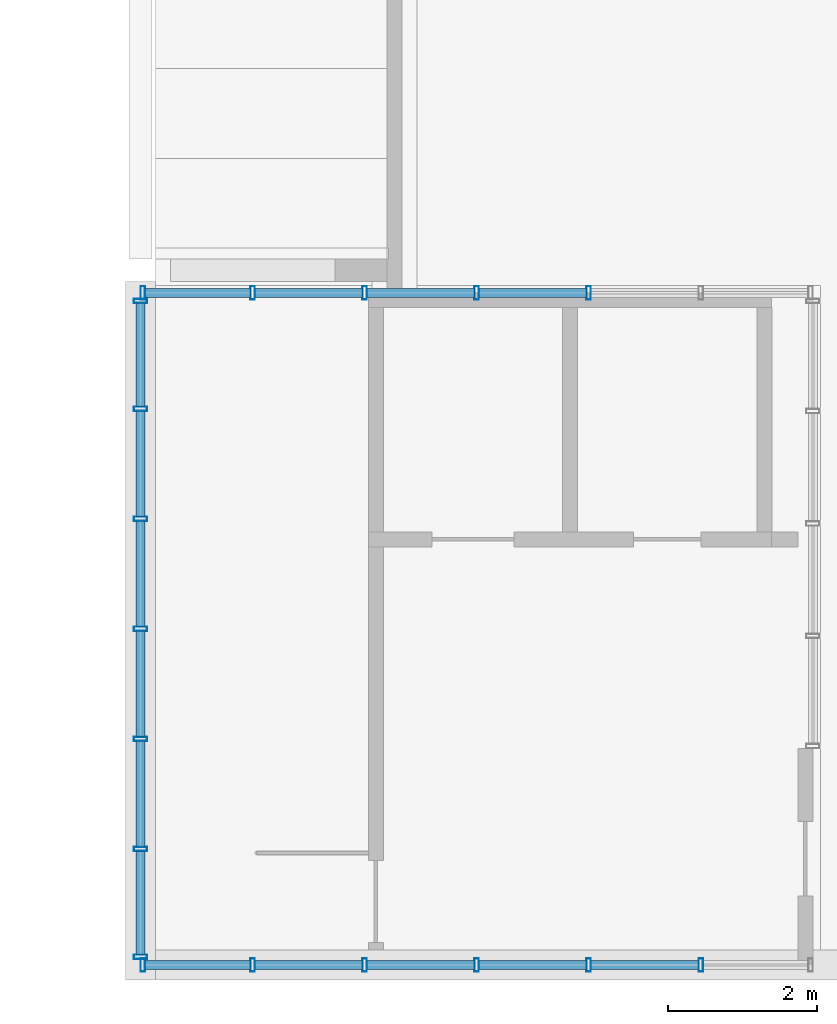
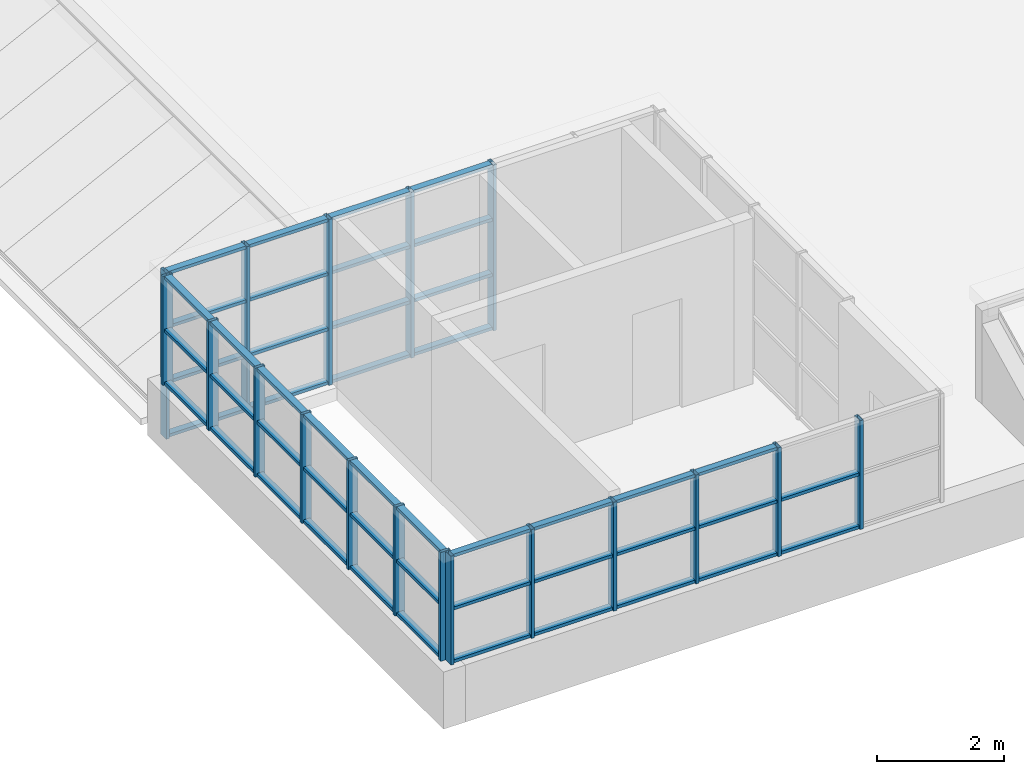
# One storey, part 2 of 69: 66 members, 3 elements without a shape of their own.
"""IFC4 building model written with IfcOpenShell, lengths in metres."""

from ifc_helpers import new_model, si_unit, direction, frame, origin, origin_2d, place, context, subcontext, project, spatial, hollow_rectangle, extrude, material, material_profile, profile_set, type_object, element, aggregate, save


model = new_model("IFC4")

# Units and contexts
model_context = context("Model", 3, precision=1e-05, world=origin(), true_north=direction((0.0, 1.0)))
body_context = subcontext(model_context, "Body", "Model", "MODEL_VIEW")
ifc_project = project(units=[si_unit("LENGTHUNIT", "METRE"), si_unit("AREAUNIT", "SQUARE_METRE"), si_unit("VOLUMEUNIT", "CUBIC_METRE"), si_unit("PLANEANGLEUNIT", "RADIAN"), si_unit("MASSUNIT", "GRAM", prefix="KILO")], contexts=[model_context])

# Site, building, storey
site_placement = place(None, origin())
site = spatial("IfcSite", under=ifc_project, at=site_placement, CompositionType="ELEMENT")
building_placement = place(site_placement, origin())
building = spatial("IfcBuilding", under=site, at=building_placement, Name="Kallimachos Central Library", CompositionType="ELEMENT")
storey_placement = place(building_placement, frame((0.0, 0.0, 23.39990234375)))
storey = spatial("IfcBuildingStorey", under=building, at=storey_placement, Name="L05", CompositionType="ELEMENT", Elevation=23.39990234375)

# Curtain wall, members
ifc_material_1 = material(Name="Aluminium and laminated glass", Category="aluminium")
curtain_wall_type = type_object("IfcCurtainWallType", Name="Glazed lantern wall", PredefinedType="NOTDEFINED", material=ifc_material_1)
curtain_wall_1_placement = place(storey_placement, origin())
curtain_wall_1 = element("IfcCurtainWall", 1, at=curtain_wall_1_placement, inside=storey, type_object=curtain_wall_type, Name="V5-CWL-L05-001", PredefinedType="NOTDEFINED")
ifc_material_2 = material(Name="Anodised aluminium", Category="aluminium")
ifc_material_profile_1 = material_profile(ifc_material_2, hollow_rectangle(XDim=0.06005859375, YDim=0.179931640625, WallThickness=0.00390625, at=origin_2d()), Name="ALU MULLION 60x180")
ifc_profile_set_1 = profile_set([ifc_material_profile_1], Name="Anodised aluminium")
member_type_1 = type_object("IfcMemberType", Name="ALU MULLION 60x180 mullion", PredefinedType="MULLION", material=ifc_profile_set_1)
member_1_placement = place(storey_placement, frame((74.530029296875, 18.0, 1.10009765625), z_axis=(0.0, 0.0, 1.0), x_axis=(1.0, 0.0, 0.0)))
member_1 = element("IfcMember", 2, at=member_1_placement, type_object=member_type_1, Name="CW2 mullion 1", PredefinedType="MULLION", context=body_context, shape_type="SweptSolid", body=[
    extrude(hollow_rectangle(XDim=0.06005859375, YDim=0.179931640625, WallThickness=0.00390625, at=origin_2d()), origin(), (0.0, 0.0, 1.0), 2.10009765625),
])
member_2_placement = place(storey_placement, frame((76.0, 18.0, 1.10009765625), z_axis=(0.0, 0.0, 1.0), x_axis=(1.0, 0.0, 0.0)))
member_2 = element("IfcMember", 3, at=member_2_placement, type_object=member_type_1, Name="CW2 mullion 2", PredefinedType="MULLION", context=body_context, shape_type="SweptSolid", body=[
    extrude(hollow_rectangle(XDim=0.06005859375, YDim=0.179931640625, WallThickness=0.00390625, at=origin_2d()), origin(), (0.0, 0.0, 1.0), 2.10009765625),
])
member_3_placement = place(storey_placement, frame((77.5, 18.0, 1.10009765625), z_axis=(0.0, 0.0, 1.0), x_axis=(1.0, 0.0, 0.0)))
member_3 = element("IfcMember", 4, at=member_3_placement, type_object=member_type_1, Name="CW2 mullion 3", PredefinedType="MULLION", context=body_context, shape_type="SweptSolid", body=[
    extrude(hollow_rectangle(XDim=0.06005859375, YDim=0.179931640625, WallThickness=0.00390625, at=origin_2d()), origin(), (0.0, 0.0, 1.0), 2.10009765625),
])
member_4_placement = place(storey_placement, frame((79.0, 18.0, 1.10009765625), z_axis=(0.0, 0.0, 1.0), x_axis=(1.0, 0.0, 0.0)))
member_4 = element("IfcMember", 5, at=member_4_placement, type_object=member_type_1, Name="CW2 mullion 4", PredefinedType="MULLION", context=body_context, shape_type="SweptSolid", body=[
    extrude(hollow_rectangle(XDim=0.06005859375, YDim=0.179931640625, WallThickness=0.00390625, at=origin_2d()), origin(), (0.0, 0.0, 1.0), 2.10009765625),
])
member_5_placement = place(storey_placement, frame((80.5, 18.0, 1.10009765625), z_axis=(0.0, 0.0, 1.0), x_axis=(1.0, 0.0, 0.0)))
member_5 = element("IfcMember", 6, at=member_5_placement, type_object=member_type_1, Name="CW2 mullion 5", PredefinedType="MULLION", context=body_context, shape_type="SweptSolid", body=[
    extrude(hollow_rectangle(XDim=0.06005859375, YDim=0.179931640625, WallThickness=0.00390625, at=origin_2d()), origin(), (0.0, 0.0, 1.0), 2.10009765625),
])
member_6_placement = place(storey_placement, frame((82.0, 18.0, 1.10009765625), z_axis=(0.0, 0.0, 1.0), x_axis=(1.0, 0.0, 0.0)))
member_6 = element("IfcMember", 7, at=member_6_placement, type_object=member_type_1, Name="CW2 mullion 6", PredefinedType="MULLION", context=body_context, shape_type="SweptSolid", body=[
    extrude(hollow_rectangle(XDim=0.06005859375, YDim=0.179931640625, WallThickness=0.00390625, at=origin_2d()), origin(), (0.0, 0.0, 1.0), 2.10009765625),
])

curtain_wall_2_placement = place(storey_placement, origin())
curtain_wall_2 = element("IfcCurtainWall", 8, at=curtain_wall_2_placement, inside=storey, type_object=curtain_wall_type, Name="V5-CWL-L05-002", PredefinedType="NOTDEFINED")
member_7_placement = place(storey_placement, frame((74.5, 18.110107421875, 1.10009765625), z_axis=(0.0, 0.0, 1.0), x_axis=(0.0, 1.0, 0.0)))
member_7 = element("IfcMember", 9, at=member_7_placement, type_object=member_type_1, Name="CW3 mullion 1", PredefinedType="MULLION", context=body_context, shape_type="SweptSolid", body=[
    extrude(hollow_rectangle(XDim=0.06005859375, YDim=0.179931640625, WallThickness=0.00390625, at=origin_2d()), origin(), (0.0, 0.0, 1.0), 2.10009765625),
])
member_8_placement = place(storey_placement, frame((74.5, 19.55322265625, 1.10009765625), z_axis=(0.0, 0.0, 1.0), x_axis=(0.0, 1.0, 0.0)))
member_8 = element("IfcMember", 10, at=member_8_placement, type_object=member_type_1, Name="CW3 mullion 2", PredefinedType="MULLION", context=body_context, shape_type="SweptSolid", body=[
    extrude(hollow_rectangle(XDim=0.06005859375, YDim=0.179931640625, WallThickness=0.00390625, at=origin_2d()), origin(), (0.0, 0.0, 1.0), 2.10009765625),
])
member_9_placement = place(storey_placement, frame((74.5, 21.026611328125, 1.10009765625), z_axis=(0.0, 0.0, 1.0), x_axis=(0.0, 1.0, 0.0)))
member_9 = element("IfcMember", 11, at=member_9_placement, type_object=member_type_1, Name="CW3 mullion 3", PredefinedType="MULLION", context=body_context, shape_type="SweptSolid", body=[
    extrude(hollow_rectangle(XDim=0.06005859375, YDim=0.179931640625, WallThickness=0.00390625, at=origin_2d()), origin(), (0.0, 0.0, 1.0), 2.10009765625),
])
member_10_placement = place(storey_placement, frame((74.5, 22.5, 1.10009765625), z_axis=(0.0, 0.0, 1.0), x_axis=(0.0, 1.0, 0.0)))
member_10 = element("IfcMember", 12, at=member_10_placement, type_object=member_type_1, Name="CW3 mullion 4", PredefinedType="MULLION", context=body_context, shape_type="SweptSolid", body=[
    extrude(hollow_rectangle(XDim=0.06005859375, YDim=0.179931640625, WallThickness=0.00390625, at=origin_2d()), origin(), (0.0, 0.0, 1.0), 2.10009765625),
])
member_11_placement = place(storey_placement, frame((74.5, 23.973388671875, 1.10009765625), z_axis=(0.0, 0.0, 1.0), x_axis=(0.0, 1.0, 0.0)))
member_11 = element("IfcMember", 13, at=member_11_placement, type_object=member_type_1, Name="CW3 mullion 5", PredefinedType="MULLION", context=body_context, shape_type="SweptSolid", body=[
    extrude(hollow_rectangle(XDim=0.06005859375, YDim=0.179931640625, WallThickness=0.00390625, at=origin_2d()), origin(), (0.0, 0.0, 1.0), 2.10009765625),
])
member_12_placement = place(storey_placement, frame((74.5, 25.44677734375, 1.10009765625), z_axis=(0.0, 0.0, 1.0), x_axis=(0.0, 1.0, 0.0)))
member_12 = element("IfcMember", 14, at=member_12_placement, type_object=member_type_1, Name="CW3 mullion 6", PredefinedType="MULLION", context=body_context, shape_type="SweptSolid", body=[
    extrude(hollow_rectangle(XDim=0.06005859375, YDim=0.179931640625, WallThickness=0.00390625, at=origin_2d()), origin(), (0.0, 0.0, 1.0), 2.10009765625),
])
member_13_placement = place(storey_placement, frame((74.5, 26.889892578125, 1.10009765625), z_axis=(0.0, 0.0, 1.0), x_axis=(0.0, 1.0, 0.0)))
member_13 = element("IfcMember", 15, at=member_13_placement, type_object=member_type_1, Name="CW3 mullion 7", PredefinedType="MULLION", context=body_context, shape_type="SweptSolid", body=[
    extrude(hollow_rectangle(XDim=0.06005859375, YDim=0.179931640625, WallThickness=0.00390625, at=origin_2d()), origin(), (0.0, 0.0, 1.0), 2.10009765625),
])

curtain_wall_3_placement = place(storey_placement, origin())
curtain_wall_3 = element("IfcCurtainWall", 16, at=curtain_wall_3_placement, inside=storey, type_object=curtain_wall_type, Name="V5-CWL-L05-003", PredefinedType="NOTDEFINED")
member_14_placement = place(storey_placement, frame((74.530029296875, 27.0, 0.0), z_axis=(0.0, 0.0, 1.0), x_axis=(1.0, 0.0, 0.0)))
member_14 = element("IfcMember", 17, at=member_14_placement, type_object=member_type_1, Name="CW4 mullion 1", PredefinedType="MULLION", context=body_context, shape_type="SweptSolid", body=[
    extrude(hollow_rectangle(XDim=0.06005859375, YDim=0.179931640625, WallThickness=0.00390625, at=origin_2d()), origin(), (0.0, 0.0, 1.0), 3.2001953125),
])
member_15_placement = place(storey_placement, frame((76.0, 27.0, 0.0), z_axis=(0.0, 0.0, 1.0), x_axis=(1.0, 0.0, 0.0)))
member_15 = element("IfcMember", 18, at=member_15_placement, type_object=member_type_1, Name="CW4 mullion 2", PredefinedType="MULLION", context=body_context, shape_type="SweptSolid", body=[
    extrude(hollow_rectangle(XDim=0.06005859375, YDim=0.179931640625, WallThickness=0.00390625, at=origin_2d()), origin(), (0.0, 0.0, 1.0), 3.2001953125),
])
member_16_placement = place(storey_placement, frame((77.5, 27.0, 0.0), z_axis=(0.0, 0.0, 1.0), x_axis=(1.0, 0.0, 0.0)))
member_16 = element("IfcMember", 19, at=member_16_placement, type_object=member_type_1, Name="CW4 mullion 3", PredefinedType="MULLION", context=body_context, shape_type="SweptSolid", body=[
    extrude(hollow_rectangle(XDim=0.06005859375, YDim=0.179931640625, WallThickness=0.00390625, at=origin_2d()), origin(), (0.0, 0.0, 1.0), 3.2001953125),
])
member_17_placement = place(storey_placement, frame((79.0, 27.0, 0.0), z_axis=(0.0, 0.0, 1.0), x_axis=(1.0, 0.0, 0.0)))
member_17 = element("IfcMember", 20, at=member_17_placement, type_object=member_type_1, Name="CW4 mullion 4", PredefinedType="MULLION", context=body_context, shape_type="SweptSolid", body=[
    extrude(hollow_rectangle(XDim=0.06005859375, YDim=0.179931640625, WallThickness=0.00390625, at=origin_2d()), origin(), (0.0, 0.0, 1.0), 3.2001953125),
])
member_18_placement = place(storey_placement, frame((80.5, 27.0, 0.0), z_axis=(0.0, 0.0, 1.0), x_axis=(1.0, 0.0, 0.0)))
member_18 = element("IfcMember", 21, at=member_18_placement, type_object=member_type_1, Name="CW4 mullion 5", PredefinedType="MULLION", context=body_context, shape_type="SweptSolid", body=[
    extrude(hollow_rectangle(XDim=0.06005859375, YDim=0.179931640625, WallThickness=0.00390625, at=origin_2d()), origin(), (0.0, 0.0, 1.0), 3.2001953125),
])

# Member
ifc_material_3 = material(Name="Anodised aluminium", Category="aluminium")
ifc_material_profile_2 = material_profile(ifc_material_3, hollow_rectangle(XDim=0.06005859375, YDim=0.1201171875, WallThickness=0.00390625, at=origin_2d()), Name="ALU TRANSOM 60x120")
ifc_profile_set_2 = profile_set([ifc_material_profile_2], Name="Anodised aluminium")
member_type_2 = type_object("IfcMemberType", Name="ALU TRANSOM 60x120 transom", PredefinedType="USERDEFINED", material=ifc_profile_set_2)
member_19_placement = place(storey_placement, frame((74.56005859375, 18.0, 1.130126953125), z_axis=(1.0, 0.0, 0.0), x_axis=(0.0, 0.0, 1.0)))
member_19 = element("IfcMember", 22, at=member_19_placement, type_object=member_type_2, Name="CW2 transom 1.1", ObjectType="TRANSOM", PredefinedType="USERDEFINED", context=body_context, shape_type="SweptSolid", body=[
    extrude(hollow_rectangle(XDim=0.06005859375, YDim=0.1201171875, WallThickness=0.00390625, at=origin_2d()), origin(), (0.0, 0.0, 1.0), 1.409912109375),
])

member_20_placement = place(storey_placement, frame((74.56005859375, 18.0, 2.150146484375), z_axis=(1.0, 0.0, 0.0), x_axis=(0.0, 0.0, 1.0)))
member_20 = element("IfcMember", 23, at=member_20_placement, type_object=member_type_2, Name="CW2 transom 1.2", ObjectType="TRANSOM", PredefinedType="USERDEFINED", context=body_context, shape_type="SweptSolid", body=[
    extrude(hollow_rectangle(XDim=0.06005859375, YDim=0.1201171875, WallThickness=0.00390625, at=origin_2d()), origin(), (0.0, 0.0, 1.0), 1.409912109375),
])

member_21_placement = place(storey_placement, frame((74.56005859375, 18.0, 3.170166015625), z_axis=(1.0, 0.0, 0.0), x_axis=(0.0, 0.0, 1.0)))
member_21 = element("IfcMember", 24, at=member_21_placement, type_object=member_type_2, Name="CW2 transom 1.3", ObjectType="TRANSOM", PredefinedType="USERDEFINED", context=body_context, shape_type="SweptSolid", body=[
    extrude(hollow_rectangle(XDim=0.06005859375, YDim=0.1201171875, WallThickness=0.00390625, at=origin_2d()), origin(), (0.0, 0.0, 1.0), 1.409912109375),
])

member_22_placement = place(storey_placement, frame((76.030029296875, 18.0, 1.130126953125), z_axis=(1.0, 0.0, 0.0), x_axis=(0.0, 0.0, 1.0)))
member_22 = element("IfcMember", 25, at=member_22_placement, type_object=member_type_2, Name="CW2 transom 2.1", ObjectType="TRANSOM", PredefinedType="USERDEFINED", context=body_context, shape_type="SweptSolid", body=[
    extrude(hollow_rectangle(XDim=0.06005859375, YDim=0.1201171875, WallThickness=0.00390625, at=origin_2d()), origin(), (0.0, 0.0, 1.0), 1.43994140625),
])

member_23_placement = place(storey_placement, frame((76.030029296875, 18.0, 2.150146484375), z_axis=(1.0, 0.0, 0.0), x_axis=(0.0, 0.0, 1.0)))
member_23 = element("IfcMember", 26, at=member_23_placement, type_object=member_type_2, Name="CW2 transom 2.2", ObjectType="TRANSOM", PredefinedType="USERDEFINED", context=body_context, shape_type="SweptSolid", body=[
    extrude(hollow_rectangle(XDim=0.06005859375, YDim=0.1201171875, WallThickness=0.00390625, at=origin_2d()), origin(), (0.0, 0.0, 1.0), 1.43994140625),
])

member_24_placement = place(storey_placement, frame((76.030029296875, 18.0, 3.170166015625), z_axis=(1.0, 0.0, 0.0), x_axis=(0.0, 0.0, 1.0)))
member_24 = element("IfcMember", 27, at=member_24_placement, type_object=member_type_2, Name="CW2 transom 2.3", ObjectType="TRANSOM", PredefinedType="USERDEFINED", context=body_context, shape_type="SweptSolid", body=[
    extrude(hollow_rectangle(XDim=0.06005859375, YDim=0.1201171875, WallThickness=0.00390625, at=origin_2d()), origin(), (0.0, 0.0, 1.0), 1.43994140625),
])

member_25_placement = place(storey_placement, frame((77.530029296875, 18.0, 1.130126953125), z_axis=(1.0, 0.0, 0.0), x_axis=(0.0, 0.0, 1.0)))
member_25 = element("IfcMember", 28, at=member_25_placement, type_object=member_type_2, Name="CW2 transom 3.1", ObjectType="TRANSOM", PredefinedType="USERDEFINED", context=body_context, shape_type="SweptSolid", body=[
    extrude(hollow_rectangle(XDim=0.06005859375, YDim=0.1201171875, WallThickness=0.00390625, at=origin_2d()), origin(), (0.0, 0.0, 1.0), 1.43994140625),
])

member_26_placement = place(storey_placement, frame((77.530029296875, 18.0, 2.150146484375), z_axis=(1.0, 0.0, 0.0), x_axis=(0.0, 0.0, 1.0)))
member_26 = element("IfcMember", 29, at=member_26_placement, type_object=member_type_2, Name="CW2 transom 3.2", ObjectType="TRANSOM", PredefinedType="USERDEFINED", context=body_context, shape_type="SweptSolid", body=[
    extrude(hollow_rectangle(XDim=0.06005859375, YDim=0.1201171875, WallThickness=0.00390625, at=origin_2d()), origin(), (0.0, 0.0, 1.0), 1.43994140625),
])

member_27_placement = place(storey_placement, frame((77.530029296875, 18.0, 3.170166015625), z_axis=(1.0, 0.0, 0.0), x_axis=(0.0, 0.0, 1.0)))
member_27 = element("IfcMember", 30, at=member_27_placement, type_object=member_type_2, Name="CW2 transom 3.3", ObjectType="TRANSOM", PredefinedType="USERDEFINED", context=body_context, shape_type="SweptSolid", body=[
    extrude(hollow_rectangle(XDim=0.06005859375, YDim=0.1201171875, WallThickness=0.00390625, at=origin_2d()), origin(), (0.0, 0.0, 1.0), 1.43994140625),
])

member_28_placement = place(storey_placement, frame((79.030029296875, 18.0, 1.130126953125), z_axis=(1.0, 0.0, 0.0), x_axis=(0.0, 0.0, 1.0)))
member_28 = element("IfcMember", 31, at=member_28_placement, type_object=member_type_2, Name="CW2 transom 4.1", ObjectType="TRANSOM", PredefinedType="USERDEFINED", context=body_context, shape_type="SweptSolid", body=[
    extrude(hollow_rectangle(XDim=0.06005859375, YDim=0.1201171875, WallThickness=0.00390625, at=origin_2d()), origin(), (0.0, 0.0, 1.0), 1.43994140625),
])

member_29_placement = place(storey_placement, frame((79.030029296875, 18.0, 2.150146484375), z_axis=(1.0, 0.0, 0.0), x_axis=(0.0, 0.0, 1.0)))
member_29 = element("IfcMember", 32, at=member_29_placement, type_object=member_type_2, Name="CW2 transom 4.2", ObjectType="TRANSOM", PredefinedType="USERDEFINED", context=body_context, shape_type="SweptSolid", body=[
    extrude(hollow_rectangle(XDim=0.06005859375, YDim=0.1201171875, WallThickness=0.00390625, at=origin_2d()), origin(), (0.0, 0.0, 1.0), 1.43994140625),
])

member_30_placement = place(storey_placement, frame((79.030029296875, 18.0, 3.170166015625), z_axis=(1.0, 0.0, 0.0), x_axis=(0.0, 0.0, 1.0)))
member_30 = element("IfcMember", 33, at=member_30_placement, type_object=member_type_2, Name="CW2 transom 4.3", ObjectType="TRANSOM", PredefinedType="USERDEFINED", context=body_context, shape_type="SweptSolid", body=[
    extrude(hollow_rectangle(XDim=0.06005859375, YDim=0.1201171875, WallThickness=0.00390625, at=origin_2d()), origin(), (0.0, 0.0, 1.0), 1.43994140625),
])

member_31_placement = place(storey_placement, frame((80.530029296875, 18.0, 1.130126953125), z_axis=(1.0, 0.0, 0.0), x_axis=(0.0, 0.0, 1.0)))
member_31 = element("IfcMember", 34, at=member_31_placement, type_object=member_type_2, Name="CW2 transom 5.1", ObjectType="TRANSOM", PredefinedType="USERDEFINED", context=body_context, shape_type="SweptSolid", body=[
    extrude(hollow_rectangle(XDim=0.06005859375, YDim=0.1201171875, WallThickness=0.00390625, at=origin_2d()), origin(), (0.0, 0.0, 1.0), 1.43994140625),
])

member_32_placement = place(storey_placement, frame((80.530029296875, 18.0, 2.150146484375), z_axis=(1.0, 0.0, 0.0), x_axis=(0.0, 0.0, 1.0)))
member_32 = element("IfcMember", 35, at=member_32_placement, type_object=member_type_2, Name="CW2 transom 5.2", ObjectType="TRANSOM", PredefinedType="USERDEFINED", context=body_context, shape_type="SweptSolid", body=[
    extrude(hollow_rectangle(XDim=0.06005859375, YDim=0.1201171875, WallThickness=0.00390625, at=origin_2d()), origin(), (0.0, 0.0, 1.0), 1.43994140625),
])

aggregate(curtain_wall_1, [member_1, member_2, member_3, member_4, member_5, member_6, member_19, member_20, member_21, member_22, member_23, member_24, member_25, member_26, member_27, member_28, member_29, member_30, member_31, member_32])

member_33_placement = place(storey_placement, frame((74.5, 18.139892578125, 1.130126953125), z_axis=(0.0, 1.0, 0.0), x_axis=(0.0, 0.0, 1.0)))
member_33 = element("IfcMember", 36, at=member_33_placement, type_object=member_type_2, Name="CW3 transom 1.1", ObjectType="TRANSOM", PredefinedType="USERDEFINED", context=body_context, shape_type="SweptSolid", body=[
    extrude(hollow_rectangle(XDim=0.06005859375, YDim=0.1201171875, WallThickness=0.00390625, at=origin_2d()), origin(), (0.0, 0.0, 1.0), 1.383544921875),
])

member_34_placement = place(storey_placement, frame((74.5, 18.139892578125, 2.150146484375), z_axis=(0.0, 1.0, 0.0), x_axis=(0.0, 0.0, 1.0)))
member_34 = element("IfcMember", 37, at=member_34_placement, type_object=member_type_2, Name="CW3 transom 1.2", ObjectType="TRANSOM", PredefinedType="USERDEFINED", context=body_context, shape_type="SweptSolid", body=[
    extrude(hollow_rectangle(XDim=0.06005859375, YDim=0.1201171875, WallThickness=0.00390625, at=origin_2d()), origin(), (0.0, 0.0, 1.0), 1.383544921875),
])

member_35_placement = place(storey_placement, frame((74.5, 18.139892578125, 3.170166015625), z_axis=(0.0, 1.0, 0.0), x_axis=(0.0, 0.0, 1.0)))
member_35 = element("IfcMember", 38, at=member_35_placement, type_object=member_type_2, Name="CW3 transom 1.3", ObjectType="TRANSOM", PredefinedType="USERDEFINED", context=body_context, shape_type="SweptSolid", body=[
    extrude(hollow_rectangle(XDim=0.06005859375, YDim=0.1201171875, WallThickness=0.00390625, at=origin_2d()), origin(), (0.0, 0.0, 1.0), 1.383544921875),
])

member_36_placement = place(storey_placement, frame((74.5, 19.583251953125, 1.130126953125), z_axis=(0.0, 1.0, 0.0), x_axis=(0.0, 0.0, 1.0)))
member_36 = element("IfcMember", 39, at=member_36_placement, type_object=member_type_2, Name="CW3 transom 2.1", ObjectType="TRANSOM", PredefinedType="USERDEFINED", context=body_context, shape_type="SweptSolid", body=[
    extrude(hollow_rectangle(XDim=0.06005859375, YDim=0.1201171875, WallThickness=0.00390625, at=origin_2d()), origin(), (0.0, 0.0, 1.0), 1.413330078125),
])

member_37_placement = place(storey_placement, frame((74.5, 19.583251953125, 2.150146484375), z_axis=(0.0, 1.0, 0.0), x_axis=(0.0, 0.0, 1.0)))
member_37 = element("IfcMember", 40, at=member_37_placement, type_object=member_type_2, Name="CW3 transom 2.2", ObjectType="TRANSOM", PredefinedType="USERDEFINED", context=body_context, shape_type="SweptSolid", body=[
    extrude(hollow_rectangle(XDim=0.06005859375, YDim=0.1201171875, WallThickness=0.00390625, at=origin_2d()), origin(), (0.0, 0.0, 1.0), 1.413330078125),
])

member_38_placement = place(storey_placement, frame((74.5, 19.583251953125, 3.170166015625), z_axis=(0.0, 1.0, 0.0), x_axis=(0.0, 0.0, 1.0)))
member_38 = element("IfcMember", 41, at=member_38_placement, type_object=member_type_2, Name="CW3 transom 2.3", ObjectType="TRANSOM", PredefinedType="USERDEFINED", context=body_context, shape_type="SweptSolid", body=[
    extrude(hollow_rectangle(XDim=0.06005859375, YDim=0.1201171875, WallThickness=0.00390625, at=origin_2d()), origin(), (0.0, 0.0, 1.0), 1.413330078125),
])

member_39_placement = place(storey_placement, frame((74.5, 21.056640625, 1.130126953125), z_axis=(0.0, 1.0, 0.0), x_axis=(0.0, 0.0, 1.0)))
member_39 = element("IfcMember", 42, at=member_39_placement, type_object=member_type_2, Name="CW3 transom 3.1", ObjectType="TRANSOM", PredefinedType="USERDEFINED", context=body_context, shape_type="SweptSolid", body=[
    extrude(hollow_rectangle(XDim=0.06005859375, YDim=0.1201171875, WallThickness=0.00390625, at=origin_2d()), origin(), (0.0, 0.0, 1.0), 1.413330078125),
])

member_40_placement = place(storey_placement, frame((74.5, 21.056640625, 2.150146484375), z_axis=(0.0, 1.0, 0.0), x_axis=(0.0, 0.0, 1.0)))
member_40 = element("IfcMember", 43, at=member_40_placement, type_object=member_type_2, Name="CW3 transom 3.2", ObjectType="TRANSOM", PredefinedType="USERDEFINED", context=body_context, shape_type="SweptSolid", body=[
    extrude(hollow_rectangle(XDim=0.06005859375, YDim=0.1201171875, WallThickness=0.00390625, at=origin_2d()), origin(), (0.0, 0.0, 1.0), 1.413330078125),
])

member_41_placement = place(storey_placement, frame((74.5, 21.056640625, 3.170166015625), z_axis=(0.0, 1.0, 0.0), x_axis=(0.0, 0.0, 1.0)))
member_41 = element("IfcMember", 44, at=member_41_placement, type_object=member_type_2, Name="CW3 transom 3.3", ObjectType="TRANSOM", PredefinedType="USERDEFINED", context=body_context, shape_type="SweptSolid", body=[
    extrude(hollow_rectangle(XDim=0.06005859375, YDim=0.1201171875, WallThickness=0.00390625, at=origin_2d()), origin(), (0.0, 0.0, 1.0), 1.413330078125),
])

member_42_placement = place(storey_placement, frame((74.5, 22.530029296875, 1.130126953125), z_axis=(0.0, 1.0, 0.0), x_axis=(0.0, 0.0, 1.0)))
member_42 = element("IfcMember", 45, at=member_42_placement, type_object=member_type_2, Name="CW3 transom 4.1", ObjectType="TRANSOM", PredefinedType="USERDEFINED", context=body_context, shape_type="SweptSolid", body=[
    extrude(hollow_rectangle(XDim=0.06005859375, YDim=0.1201171875, WallThickness=0.00390625, at=origin_2d()), origin(), (0.0, 0.0, 1.0), 1.413330078125),
])

member_43_placement = place(storey_placement, frame((74.5, 22.530029296875, 2.150146484375), z_axis=(0.0, 1.0, 0.0), x_axis=(0.0, 0.0, 1.0)))
member_43 = element("IfcMember", 46, at=member_43_placement, type_object=member_type_2, Name="CW3 transom 4.2", ObjectType="TRANSOM", PredefinedType="USERDEFINED", context=body_context, shape_type="SweptSolid", body=[
    extrude(hollow_rectangle(XDim=0.06005859375, YDim=0.1201171875, WallThickness=0.00390625, at=origin_2d()), origin(), (0.0, 0.0, 1.0), 1.413330078125),
])

member_44_placement = place(storey_placement, frame((74.5, 22.530029296875, 3.170166015625), z_axis=(0.0, 1.0, 0.0), x_axis=(0.0, 0.0, 1.0)))
member_44 = element("IfcMember", 47, at=member_44_placement, type_object=member_type_2, Name="CW3 transom 4.3", ObjectType="TRANSOM", PredefinedType="USERDEFINED", context=body_context, shape_type="SweptSolid", body=[
    extrude(hollow_rectangle(XDim=0.06005859375, YDim=0.1201171875, WallThickness=0.00390625, at=origin_2d()), origin(), (0.0, 0.0, 1.0), 1.413330078125),
])

member_45_placement = place(storey_placement, frame((74.5, 24.00341796875, 1.130126953125), z_axis=(0.0, 1.0, 0.0), x_axis=(0.0, 0.0, 1.0)))
member_45 = element("IfcMember", 48, at=member_45_placement, type_object=member_type_2, Name="CW3 transom 5.1", ObjectType="TRANSOM", PredefinedType="USERDEFINED", context=body_context, shape_type="SweptSolid", body=[
    extrude(hollow_rectangle(XDim=0.06005859375, YDim=0.1201171875, WallThickness=0.00390625, at=origin_2d()), origin(), (0.0, 0.0, 1.0), 1.413330078125),
])

member_46_placement = place(storey_placement, frame((74.5, 24.00341796875, 2.150146484375), z_axis=(0.0, 1.0, 0.0), x_axis=(0.0, 0.0, 1.0)))
member_46 = element("IfcMember", 49, at=member_46_placement, type_object=member_type_2, Name="CW3 transom 5.2", ObjectType="TRANSOM", PredefinedType="USERDEFINED", context=body_context, shape_type="SweptSolid", body=[
    extrude(hollow_rectangle(XDim=0.06005859375, YDim=0.1201171875, WallThickness=0.00390625, at=origin_2d()), origin(), (0.0, 0.0, 1.0), 1.413330078125),
])

member_47_placement = place(storey_placement, frame((74.5, 24.00341796875, 3.170166015625), z_axis=(0.0, 1.0, 0.0), x_axis=(0.0, 0.0, 1.0)))
member_47 = element("IfcMember", 50, at=member_47_placement, type_object=member_type_2, Name="CW3 transom 5.3", ObjectType="TRANSOM", PredefinedType="USERDEFINED", context=body_context, shape_type="SweptSolid", body=[
    extrude(hollow_rectangle(XDim=0.06005859375, YDim=0.1201171875, WallThickness=0.00390625, at=origin_2d()), origin(), (0.0, 0.0, 1.0), 1.413330078125),
])

member_48_placement = place(storey_placement, frame((74.5, 25.4765625, 1.130126953125), z_axis=(0.0, 1.0, 0.0), x_axis=(0.0, 0.0, 1.0)))
member_48 = element("IfcMember", 51, at=member_48_placement, type_object=member_type_2, Name="CW3 transom 6.1", ObjectType="TRANSOM", PredefinedType="USERDEFINED", context=body_context, shape_type="SweptSolid", body=[
    extrude(hollow_rectangle(XDim=0.06005859375, YDim=0.1201171875, WallThickness=0.00390625, at=origin_2d()), origin(), (0.0, 0.0, 1.0), 1.383544921875),
])

member_49_placement = place(storey_placement, frame((74.5, 25.4765625, 2.150146484375), z_axis=(0.0, 1.0, 0.0), x_axis=(0.0, 0.0, 1.0)))
member_49 = element("IfcMember", 52, at=member_49_placement, type_object=member_type_2, Name="CW3 transom 6.2", ObjectType="TRANSOM", PredefinedType="USERDEFINED", context=body_context, shape_type="SweptSolid", body=[
    extrude(hollow_rectangle(XDim=0.06005859375, YDim=0.1201171875, WallThickness=0.00390625, at=origin_2d()), origin(), (0.0, 0.0, 1.0), 1.383544921875),
])

member_50_placement = place(storey_placement, frame((74.5, 25.4765625, 3.170166015625), z_axis=(0.0, 1.0, 0.0), x_axis=(0.0, 0.0, 1.0)))
member_50 = element("IfcMember", 53, at=member_50_placement, type_object=member_type_2, Name="CW3 transom 6.3", ObjectType="TRANSOM", PredefinedType="USERDEFINED", context=body_context, shape_type="SweptSolid", body=[
    extrude(hollow_rectangle(XDim=0.06005859375, YDim=0.1201171875, WallThickness=0.00390625, at=origin_2d()), origin(), (0.0, 0.0, 1.0), 1.383544921875),
])

aggregate(curtain_wall_2, [member_7, member_8, member_9, member_10, member_11, member_12, member_13, member_33, member_34, member_35, member_36, member_37, member_38, member_39, member_40, member_41, member_42, member_43, member_44, member_45, member_46, member_47, member_48, member_49, member_50])

member_51_placement = place(storey_placement, frame((74.56005859375, 27.0, 0.030029296875), z_axis=(1.0, 0.0, 0.0), x_axis=(0.0, 0.0, 1.0)))
member_51 = element("IfcMember", 54, at=member_51_placement, type_object=member_type_2, Name="CW4 transom 1.1", ObjectType="TRANSOM", PredefinedType="USERDEFINED", context=body_context, shape_type="SweptSolid", body=[
    extrude(hollow_rectangle(XDim=0.06005859375, YDim=0.1201171875, WallThickness=0.00390625, at=origin_2d()), origin(), (0.0, 0.0, 1.0), 1.409912109375),
])

member_52_placement = place(storey_placement, frame((74.56005859375, 27.0, 1.06689453125), z_axis=(1.0, 0.0, 0.0), x_axis=(0.0, 0.0, 1.0)))
member_52 = element("IfcMember", 55, at=member_52_placement, type_object=member_type_2, Name="CW4 transom 1.2", ObjectType="TRANSOM", PredefinedType="USERDEFINED", context=body_context, shape_type="SweptSolid", body=[
    extrude(hollow_rectangle(XDim=0.06005859375, YDim=0.1201171875, WallThickness=0.00390625, at=origin_2d()), origin(), (0.0, 0.0, 1.0), 1.409912109375),
])

member_53_placement = place(storey_placement, frame((74.56005859375, 27.0, 2.13330078125), z_axis=(1.0, 0.0, 0.0), x_axis=(0.0, 0.0, 1.0)))
member_53 = element("IfcMember", 56, at=member_53_placement, type_object=member_type_2, Name="CW4 transom 1.3", ObjectType="TRANSOM", PredefinedType="USERDEFINED", context=body_context, shape_type="SweptSolid", body=[
    extrude(hollow_rectangle(XDim=0.06005859375, YDim=0.1201171875, WallThickness=0.00390625, at=origin_2d()), origin(), (0.0, 0.0, 1.0), 1.409912109375),
])

member_54_placement = place(storey_placement, frame((74.56005859375, 27.0, 3.170166015625), z_axis=(1.0, 0.0, 0.0), x_axis=(0.0, 0.0, 1.0)))
member_54 = element("IfcMember", 57, at=member_54_placement, type_object=member_type_2, Name="CW4 transom 1.4", ObjectType="TRANSOM", PredefinedType="USERDEFINED", context=body_context, shape_type="SweptSolid", body=[
    extrude(hollow_rectangle(XDim=0.06005859375, YDim=0.1201171875, WallThickness=0.00390625, at=origin_2d()), origin(), (0.0, 0.0, 1.0), 1.409912109375),
])

member_55_placement = place(storey_placement, frame((76.030029296875, 27.0, 0.030029296875), z_axis=(1.0, 0.0, 0.0), x_axis=(0.0, 0.0, 1.0)))
member_55 = element("IfcMember", 58, at=member_55_placement, type_object=member_type_2, Name="CW4 transom 2.1", ObjectType="TRANSOM", PredefinedType="USERDEFINED", context=body_context, shape_type="SweptSolid", body=[
    extrude(hollow_rectangle(XDim=0.06005859375, YDim=0.1201171875, WallThickness=0.00390625, at=origin_2d()), origin(), (0.0, 0.0, 1.0), 1.43994140625),
])

member_56_placement = place(storey_placement, frame((76.030029296875, 27.0, 1.06689453125), z_axis=(1.0, 0.0, 0.0), x_axis=(0.0, 0.0, 1.0)))
member_56 = element("IfcMember", 59, at=member_56_placement, type_object=member_type_2, Name="CW4 transom 2.2", ObjectType="TRANSOM", PredefinedType="USERDEFINED", context=body_context, shape_type="SweptSolid", body=[
    extrude(hollow_rectangle(XDim=0.06005859375, YDim=0.1201171875, WallThickness=0.00390625, at=origin_2d()), origin(), (0.0, 0.0, 1.0), 1.43994140625),
])

member_57_placement = place(storey_placement, frame((76.030029296875, 27.0, 2.13330078125), z_axis=(1.0, 0.0, 0.0), x_axis=(0.0, 0.0, 1.0)))
member_57 = element("IfcMember", 60, at=member_57_placement, type_object=member_type_2, Name="CW4 transom 2.3", ObjectType="TRANSOM", PredefinedType="USERDEFINED", context=body_context, shape_type="SweptSolid", body=[
    extrude(hollow_rectangle(XDim=0.06005859375, YDim=0.1201171875, WallThickness=0.00390625, at=origin_2d()), origin(), (0.0, 0.0, 1.0), 1.43994140625),
])

member_58_placement = place(storey_placement, frame((76.030029296875, 27.0, 3.170166015625), z_axis=(1.0, 0.0, 0.0), x_axis=(0.0, 0.0, 1.0)))
member_58 = element("IfcMember", 61, at=member_58_placement, type_object=member_type_2, Name="CW4 transom 2.4", ObjectType="TRANSOM", PredefinedType="USERDEFINED", context=body_context, shape_type="SweptSolid", body=[
    extrude(hollow_rectangle(XDim=0.06005859375, YDim=0.1201171875, WallThickness=0.00390625, at=origin_2d()), origin(), (0.0, 0.0, 1.0), 1.43994140625),
])

member_59_placement = place(storey_placement, frame((77.530029296875, 27.0, 0.030029296875), z_axis=(1.0, 0.0, 0.0), x_axis=(0.0, 0.0, 1.0)))
member_59 = element("IfcMember", 62, at=member_59_placement, type_object=member_type_2, Name="CW4 transom 3.1", ObjectType="TRANSOM", PredefinedType="USERDEFINED", context=body_context, shape_type="SweptSolid", body=[
    extrude(hollow_rectangle(XDim=0.06005859375, YDim=0.1201171875, WallThickness=0.00390625, at=origin_2d()), origin(), (0.0, 0.0, 1.0), 1.43994140625),
])

member_60_placement = place(storey_placement, frame((77.530029296875, 27.0, 1.06689453125), z_axis=(1.0, 0.0, 0.0), x_axis=(0.0, 0.0, 1.0)))
member_60 = element("IfcMember", 63, at=member_60_placement, type_object=member_type_2, Name="CW4 transom 3.2", ObjectType="TRANSOM", PredefinedType="USERDEFINED", context=body_context, shape_type="SweptSolid", body=[
    extrude(hollow_rectangle(XDim=0.06005859375, YDim=0.1201171875, WallThickness=0.00390625, at=origin_2d()), origin(), (0.0, 0.0, 1.0), 1.43994140625),
])

member_61_placement = place(storey_placement, frame((77.530029296875, 27.0, 2.13330078125), z_axis=(1.0, 0.0, 0.0), x_axis=(0.0, 0.0, 1.0)))
member_61 = element("IfcMember", 64, at=member_61_placement, type_object=member_type_2, Name="CW4 transom 3.3", ObjectType="TRANSOM", PredefinedType="USERDEFINED", context=body_context, shape_type="SweptSolid", body=[
    extrude(hollow_rectangle(XDim=0.06005859375, YDim=0.1201171875, WallThickness=0.00390625, at=origin_2d()), origin(), (0.0, 0.0, 1.0), 1.43994140625),
])

member_62_placement = place(storey_placement, frame((77.530029296875, 27.0, 3.170166015625), z_axis=(1.0, 0.0, 0.0), x_axis=(0.0, 0.0, 1.0)))
member_62 = element("IfcMember", 65, at=member_62_placement, type_object=member_type_2, Name="CW4 transom 3.4", ObjectType="TRANSOM", PredefinedType="USERDEFINED", context=body_context, shape_type="SweptSolid", body=[
    extrude(hollow_rectangle(XDim=0.06005859375, YDim=0.1201171875, WallThickness=0.00390625, at=origin_2d()), origin(), (0.0, 0.0, 1.0), 1.43994140625),
])

member_63_placement = place(storey_placement, frame((79.030029296875, 27.0, 0.030029296875), z_axis=(1.0, 0.0, 0.0), x_axis=(0.0, 0.0, 1.0)))
member_63 = element("IfcMember", 66, at=member_63_placement, type_object=member_type_2, Name="CW4 transom 4.1", ObjectType="TRANSOM", PredefinedType="USERDEFINED", context=body_context, shape_type="SweptSolid", body=[
    extrude(hollow_rectangle(XDim=0.06005859375, YDim=0.1201171875, WallThickness=0.00390625, at=origin_2d()), origin(), (0.0, 0.0, 1.0), 1.43994140625),
])

member_64_placement = place(storey_placement, frame((79.030029296875, 27.0, 1.06689453125), z_axis=(1.0, 0.0, 0.0), x_axis=(0.0, 0.0, 1.0)))
member_64 = element("IfcMember", 67, at=member_64_placement, type_object=member_type_2, Name="CW4 transom 4.2", ObjectType="TRANSOM", PredefinedType="USERDEFINED", context=body_context, shape_type="SweptSolid", body=[
    extrude(hollow_rectangle(XDim=0.06005859375, YDim=0.1201171875, WallThickness=0.00390625, at=origin_2d()), origin(), (0.0, 0.0, 1.0), 1.43994140625),
])

member_65_placement = place(storey_placement, frame((79.030029296875, 27.0, 2.13330078125), z_axis=(1.0, 0.0, 0.0), x_axis=(0.0, 0.0, 1.0)))
member_65 = element("IfcMember", 68, at=member_65_placement, type_object=member_type_2, Name="CW4 transom 4.3", ObjectType="TRANSOM", PredefinedType="USERDEFINED", context=body_context, shape_type="SweptSolid", body=[
    extrude(hollow_rectangle(XDim=0.06005859375, YDim=0.1201171875, WallThickness=0.00390625, at=origin_2d()), origin(), (0.0, 0.0, 1.0), 1.43994140625),
])

member_66_placement = place(storey_placement, frame((79.030029296875, 27.0, 3.170166015625), z_axis=(1.0, 0.0, 0.0), x_axis=(0.0, 0.0, 1.0)))
member_66 = element("IfcMember", 69, at=member_66_placement, type_object=member_type_2, Name="CW4 transom 4.4", ObjectType="TRANSOM", PredefinedType="USERDEFINED", context=body_context, shape_type="SweptSolid", body=[
    extrude(hollow_rectangle(XDim=0.06005859375, YDim=0.1201171875, WallThickness=0.00390625, at=origin_2d()), origin(), (0.0, 0.0, 1.0), 1.43994140625),
])

aggregate(curtain_wall_3, [member_14, member_15, member_16, member_17, member_18, member_51, member_52, member_53, member_54, member_55, member_56, member_57, member_58, member_59, member_60, member_61, member_62, member_63, member_64, member_65, member_66])

save(model, "model.ifc")
